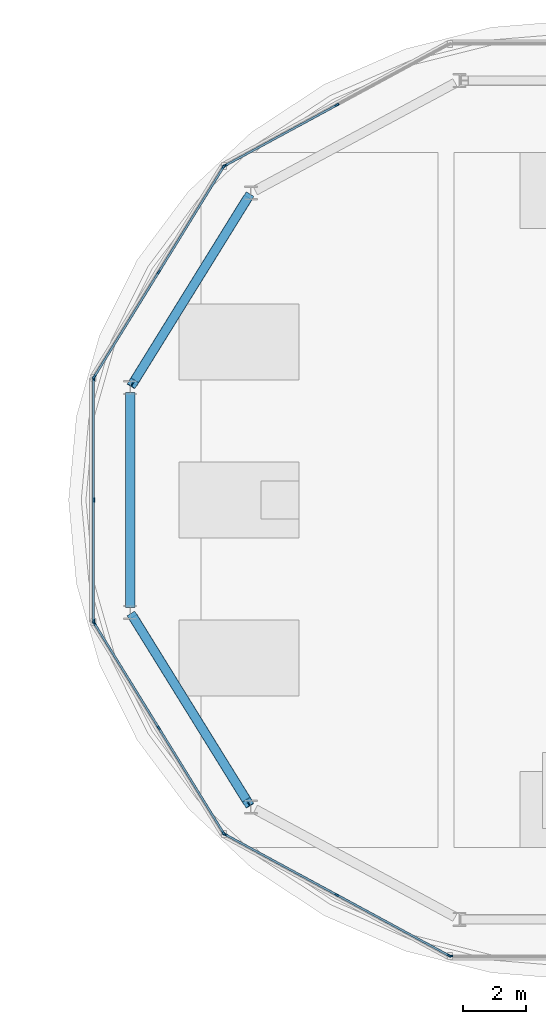
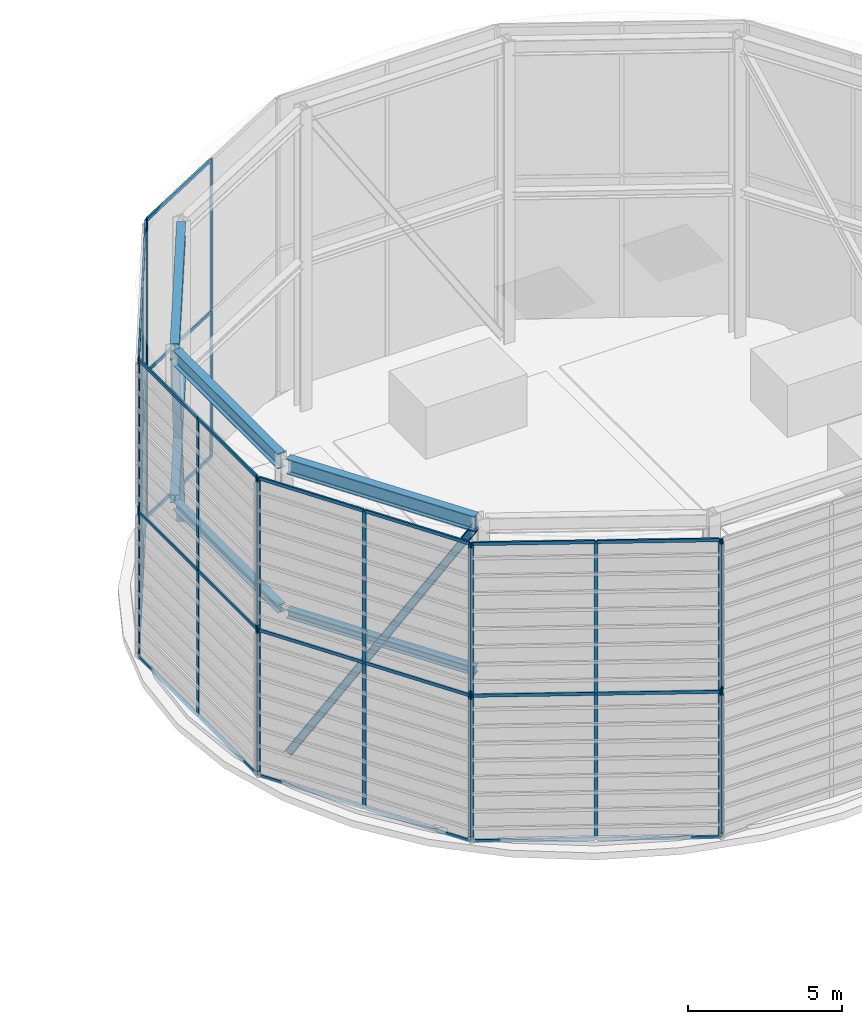
# One storey, part 7 of 17: 44 members, 6 beams, 6 elements without a shape of their own.
"""IFC4 building model written with IfcOpenShell, lengths in metres."""

from ifc_helpers import new_model, si_unit, direction, frame, origin, origin_2d, place, context, subcontext, project, spatial, rectangle, i_section, extrude, source, transform, mapped, material, layer, layer_set, material_profile, profile_set, type_object, type_shapes, element, aggregate, save


model = new_model("IFC4")

# Units and contexts
model_context = context("Model", 3, precision=1e-05, world=origin(), true_north=direction((0.0, 1.0)))
body_context = subcontext(model_context, "Body", "Model", "MODEL_VIEW")
ifc_project = project(units=[si_unit("LENGTHUNIT", "METRE"), si_unit("AREAUNIT", "SQUARE_METRE"), si_unit("VOLUMEUNIT", "CUBIC_METRE"), si_unit("PLANEANGLEUNIT", "RADIAN"), si_unit("MASSUNIT", "GRAM", prefix="KILO")], contexts=[model_context])

# Site, building, storey
site_placement = place(None, origin())
site = spatial("IfcSite", under=ifc_project, at=site_placement, CompositionType="ELEMENT")
building_placement = place(site_placement, origin())
building = spatial("IfcBuilding", under=site, at=building_placement, Name="Norrkilde Senior Care Towers", CompositionType="ELEMENT")
storey_placement = place(building_placement, frame((0.0, 0.0, 249.85009765625)))
storey = spatial("IfcBuildingStorey", under=building, at=storey_placement, Name="RF", CompositionType="ELEMENT", Elevation=249.85009765625)

# Beams
ifc_material_1 = material(Name="Steel S355", Category="steel")
ifc_material_profile_1 = material_profile(ifc_material_1, i_section(OverallWidth=0.300048828125, OverallDepth=0.60009765625, WebThickness=0.015380859375, FlangeThickness=0.030029296875, FilletRadius=0.027099609375, at=origin_2d()), Name="HEB 600")
ifc_profile_set_1 = profile_set([ifc_material_profile_1], Name="Steel S355")
beam_type_1 = type_object("IfcBeamType", Name="Crown Ring Top Girder CROWN FRAME", PredefinedType="USERDEFINED", material=ifc_profile_set_1)
shared_shape_1 = source(origin(), body_context, "Body", "SweptSolid", [
    extrude(i_section(OverallWidth=0.300048828125, OverallDepth=0.60009765625, WebThickness=0.015380859375, FlangeThickness=0.030029296875, FilletRadius=0.027099609375, at=origin_2d()), origin(), (0.0, 0.0, 1.0), 6.93017578125),
])
for number, where, z_axis, x_axis, name in (
    (1, (17.48583984375, 9.586669921875, 11.809814453125), (-0.526520754643, -0.850162275645, 0.0), (0.850162275645, -0.526520754643, 0.0), "RF Drum E Crown Ring Top Girder 05 CROWN FRAME"),
    (2, (13.8369140625, -3.69482421875, 11.809814453125), (0.526520754643, -0.850162275645, 0.0), (0.850162275645, 0.526520754643, 0.0), "RF Drum E Crown Ring Top Girder 07 CROWN FRAME"),
):
    element("IfcBeam", number, at=place(storey_placement, frame(where, z_axis=z_axis, x_axis=x_axis)), inside=storey, type_object=beam_type_1, Name=name, ObjectType="GIRDER", PredefinedType="USERDEFINED", context=body_context, shape_type="MappedRepresentation", body=[
        mapped(shared_shape_1, transform((0.0, 0.0, 0.0), x_axis=(1.0, 0.0, 0.0), y_axis=(0.0, 1.0, 0.0), z_axis=(0.0, 0.0, 1.0), scale=1.0)),
    ])
ifc_material_profile_2 = material_profile(ifc_material_1, i_section(OverallWidth=0.300048828125, OverallDepth=0.320068359375, WebThickness=0.011474609375, FlangeThickness=0.0205078125, FilletRadius=0.027099609375, at=origin_2d()), Name="HEB 320")
ifc_profile_set_2 = profile_set([ifc_material_profile_2], Name="Steel S355")
beam_type_2 = type_object("IfcBeamType", Name="Crown Ring Mid Spandrel CROWN FRAME", PredefinedType="SPANDREL", material=ifc_profile_set_2)
shared_shape_2 = source(origin(), body_context, "Body", "SweptSolid", [
    extrude(i_section(OverallWidth=0.300048828125, OverallDepth=0.320068359375, WebThickness=0.011474609375, FlangeThickness=0.0205078125, FilletRadius=0.027099609375, at=origin_2d()), origin(), (0.0, 0.0, 1.0), 6.93017578125),
])
for number, where, z_axis, x_axis, name in (
    (3, (17.48583984375, 9.586669921875, 5.949951171875), (-0.526520754643, -0.850162275645, 0.0), (0.850162275645, -0.526520754643, 0.0), "RF Drum E Crown Ring Mid Spandrel 05 CROWN FRAME"),
    (4, (13.8369140625, -3.69482421875, 5.949951171875), (0.526520754643, -0.850162275645, 0.0), (0.850162275645, 0.526520754643, 0.0), "RF Drum E Crown Ring Mid Spandrel 07 CROWN FRAME"),
):
    element("IfcBeam", number, at=place(storey_placement, frame(where, z_axis=z_axis, x_axis=x_axis)), inside=storey, type_object=beam_type_2, Name=name, PredefinedType="SPANDREL", context=body_context, shape_type="MappedRepresentation", body=[
        mapped(shared_shape_2, transform((0.0, 0.0, 0.0), x_axis=(1.0, 0.0, 0.0), y_axis=(0.0, 1.0, 0.0), z_axis=(0.0, 0.0, 1.0), scale=1.0)),
    ])

# Members
ifc_material_profile_3 = material_profile(ifc_material_1, i_section(OverallWidth=0.280029296875, OverallDepth=0.280029296875, WebThickness=0.010498046875, FlangeThickness=0.01806640625, FilletRadius=0.02392578125, at=origin_2d()), Name="HEB 280")
ifc_profile_set_3 = profile_set([ifc_material_profile_3], Name="Steel S355")
member_type_1 = type_object("IfcMemberType", Name="Crown Frame Brace CROWN FRAME", PredefinedType="BRACE", material=ifc_profile_set_3)
shared_shape_3 = source(origin(), body_context, "Body", "SweptSolid", [
    extrude(i_section(OverallWidth=0.280029296875, OverallDepth=0.280029296875, WebThickness=0.010498046875, FlangeThickness=0.01806640625, FilletRadius=0.02392578125, at=origin_2d()), origin(), (0.0, 0.0, 1.0), 13.264404296875),
])
type_shapes(member_type_1, [shared_shape_3])
for number, where, z_axis, x_axis, name in (
    (5, (17.48583984375, 9.586669921875, 0.349853515625), (-0.275090388538, -0.444182814571, 0.852658727378), (0.850162275645, -0.526520754643, 0.0), "RF Drum E Crown Ring Brace 05 CROWN FRAME"),
    (6, (13.8369140625, -3.69482421875, 0.349853515625), (0.275090388538, -0.444182814571, 0.852658727378), (0.850162275645, 0.526520754643, 0.0), "RF Drum E Crown Ring Brace 07 CROWN FRAME"),
):
    element("IfcMember", number, at=place(storey_placement, frame(where, z_axis=z_axis, x_axis=x_axis)), inside=storey, type_object=member_type_1, Name=name, PredefinedType="BRACE", context=body_context, shape_type="MappedRepresentation", body=[
        mapped(shared_shape_3, transform((0.0, 0.0, 0.0), x_axis=(1.0, 0.0, 0.0), y_axis=(0.0, 1.0, 0.0), z_axis=(0.0, 0.0, 1.0), scale=1.0)),
    ])

# Beams
shared_shape_4 = source(origin(), body_context, "Body", "SweptSolid", [
    extrude(i_section(OverallWidth=0.300048828125, OverallDepth=0.60009765625, WebThickness=0.015380859375, FlangeThickness=0.030029296875, FilletRadius=0.027099609375, at=origin_2d()), origin(), (0.0, 0.0, 1.0), 6.79736328125),
])
type_shapes(beam_type_1, [shared_shape_1, shared_shape_4])
beam_1_placement = place(storey_placement, frame((13.752685546875, 3.398681640625, 11.809814453125), z_axis=(0.0, -1.0, 0.0), x_axis=(1.0, 0.0, 0.0)))
element("IfcBeam", 7, at=beam_1_placement, inside=storey, type_object=beam_type_1, Name="RF Drum E Crown Ring Top Girder 06 CROWN FRAME", ObjectType="GIRDER", PredefinedType="USERDEFINED", context=body_context, shape_type="MappedRepresentation", body=[
    mapped(shared_shape_4, transform((0.0, 0.0, 0.0), x_axis=(1.0, 0.0, 0.0), y_axis=(0.0, 1.0, 0.0), z_axis=(0.0, 0.0, 1.0), scale=1.0)),
])
shared_shape_5 = source(origin(), body_context, "Body", "SweptSolid", [
    extrude(i_section(OverallWidth=0.300048828125, OverallDepth=0.320068359375, WebThickness=0.011474609375, FlangeThickness=0.0205078125, FilletRadius=0.027099609375, at=origin_2d()), origin(), (0.0, 0.0, 1.0), 6.79736328125),
])
type_shapes(beam_type_2, [shared_shape_2, shared_shape_5])
beam_2_placement = place(storey_placement, frame((13.752685546875, 3.398681640625, 5.949951171875), z_axis=(0.0, -1.0, 0.0), x_axis=(1.0, 0.0, 0.0)))
element("IfcBeam", 8, at=beam_2_placement, inside=storey, type_object=beam_type_2, Name="RF Drum E Crown Ring Mid Spandrel 06 CROWN FRAME", PredefinedType="SPANDREL", context=body_context, shape_type="MappedRepresentation", body=[
    mapped(shared_shape_5, transform((0.0, 0.0, 0.0), x_axis=(1.0, 0.0, 0.0), y_axis=(0.0, 1.0, 0.0), z_axis=(0.0, 0.0, 1.0), scale=1.0)),
])

# Curtain wall, members
ifc_material_2 = material(Name="Triple Low-E Insulated Glazing", Category="glass")
ifc_layer = layer(ifc_material_2, 0.205078125)
ifc_layer_set = layer_set([ifc_layer], Name="Triple Low-E Insulated Glazing")
curtain_wall_type = type_object("IfcCurtainWallType", Name="CW7 L76 Damper Lantern Clear Curtain Wall", PredefinedType="NOTDEFINED", material=ifc_layer_set)
curtain_wall_1_placement = place(storey_placement, origin())
curtain_wall_1 = element("IfcCurtainWall", 9, at=curtain_wall_1_placement, inside=storey, type_object=curtain_wall_type, Name="RF Ring Crown E Screen Wall 03", PredefinedType="NOTDEFINED")
ifc_material_3 = material(Name="Anodised Aluminium", Category="aluminium")
ifc_material_profile_4 = material_profile(ifc_material_3, rectangle(XDim=0.06005859375, YDim=0.139892578125, at=origin_2d()), Name="ALU MULL 60x140")
ifc_profile_set_4 = profile_set([ifc_material_profile_4], Name="Anodised Aluminium")
member_type_2 = type_object("IfcMemberType", Name="Curtain Wall Mullion Lantern 60x140", PredefinedType="MULLION", material=ifc_profile_set_4)
shared_shape_6 = source(origin(), body_context, "Body", "SweptSolid", [
    extrude(rectangle(XDim=0.06005859375, YDim=0.139892578125, at=origin_2d()), origin(), (0.0, 0.0, 1.0), 11.849853515625),
])
type_shapes(member_type_2, [shared_shape_6])
member_1_placement = place(storey_placement, frame((16.748046875, 10.58544921875, 0.0), z_axis=(0.0, 0.0, 1.0), x_axis=(-0.475933713829, 0.879481153886, 0.0)))
member_1 = element("IfcMember", 10, at=member_1_placement, type_object=member_type_2, Name="CW-7 mullion 1", PredefinedType="MULLION", context=body_context, shape_type="MappedRepresentation", body=[
    mapped(shared_shape_6, transform((0.0, 0.0, 0.0), x_axis=(1.0, 0.0, 0.0), y_axis=(0.0, 1.0, 0.0), z_axis=(0.0, 0.0, 1.0), scale=1.0)),
])
member_2_placement = place(storey_placement, frame((20.296630859375, 12.505859375, 0.0), z_axis=(0.0, 0.0, 1.0), x_axis=(-0.475933713829, 0.879481153886, 0.0)))
member_2 = element("IfcMember", 11, at=member_2_placement, type_object=member_type_2, Name="CW-7 mullion 2", PredefinedType="MULLION", context=body_context, shape_type="MappedRepresentation", body=[
    mapped(shared_shape_6, transform((0.0, 0.0, 0.0), x_axis=(1.0, 0.0, 0.0), y_axis=(0.0, 1.0, 0.0), z_axis=(0.0, 0.0, 1.0), scale=1.0)),
])

curtain_wall_2_placement = place(storey_placement, origin())
curtain_wall_2 = element("IfcCurtainWall", 12, at=curtain_wall_2_placement, inside=storey, type_object=curtain_wall_type, Name="RF Ring Crown E Screen Wall 04", PredefinedType="NOTDEFINED")
member_3_placement = place(storey_placement, frame((12.609130859375, 3.894775390625, 0.0), z_axis=(0.0, 0.0, 1.0), x_axis=(-0.85143610846, 0.524458342684, 0.0)))
member_3 = element("IfcMember", 13, at=member_3_placement, type_object=member_type_2, Name="CW-7 mullion 1", PredefinedType="MULLION", context=body_context, shape_type="MappedRepresentation", body=[
    mapped(shared_shape_6, transform((0.0, 0.0, 0.0), x_axis=(1.0, 0.0, 0.0), y_axis=(0.0, 1.0, 0.0), z_axis=(0.0, 0.0, 1.0), scale=1.0)),
])
member_4_placement = place(storey_placement, frame((14.657470703125, 7.22021484375, 0.0), z_axis=(0.0, 0.0, 1.0), x_axis=(-0.85143610846, 0.524458342684, 0.0)))
member_4 = element("IfcMember", 14, at=member_4_placement, type_object=member_type_2, Name="CW-7 mullion 2", PredefinedType="MULLION", context=body_context, shape_type="MappedRepresentation", body=[
    mapped(shared_shape_6, transform((0.0, 0.0, 0.0), x_axis=(1.0, 0.0, 0.0), y_axis=(0.0, 1.0, 0.0), z_axis=(0.0, 0.0, 1.0), scale=1.0)),
])
member_5_placement = place(storey_placement, frame((16.705810546875, 10.545654296875, 0.0), z_axis=(0.0, 0.0, 1.0), x_axis=(-0.85143610846, 0.524458342684, 0.0)))
member_5 = element("IfcMember", 15, at=member_5_placement, type_object=member_type_2, Name="CW-7 mullion 3", PredefinedType="MULLION", context=body_context, shape_type="MappedRepresentation", body=[
    mapped(shared_shape_6, transform((0.0, 0.0, 0.0), x_axis=(1.0, 0.0, 0.0), y_axis=(0.0, 1.0, 0.0), z_axis=(0.0, 0.0, 1.0), scale=1.0)),
])

curtain_wall_3_placement = place(storey_placement, origin())
curtain_wall_3 = element("IfcCurtainWall", 16, at=curtain_wall_3_placement, inside=storey, type_object=curtain_wall_type, Name="RF Ring Crown E Screen Wall 05", PredefinedType="NOTDEFINED")
member_6_placement = place(storey_placement, frame((12.593505859375, -3.83935546875, 0.0), z_axis=(0.0, 0.0, 1.0), x_axis=(-1.0, 0.0, 0.0)))
member_6 = element("IfcMember", 17, at=member_6_placement, type_object=member_type_2, Name="CW-7 mullion 1", PredefinedType="MULLION", context=body_context, shape_type="MappedRepresentation", body=[
    mapped(shared_shape_6, transform((0.0, 0.0, 0.0), x_axis=(1.0, 0.0, 0.0), y_axis=(0.0, 1.0, 0.0), z_axis=(0.0, 0.0, 1.0), scale=1.0)),
])
member_7_placement = place(storey_placement, frame((12.593505859375, 0.0, 0.0), z_axis=(0.0, 0.0, 1.0), x_axis=(-1.0, 0.0, 0.0)))
member_7 = element("IfcMember", 18, at=member_7_placement, type_object=member_type_2, Name="CW-7 mullion 2", PredefinedType="MULLION", context=body_context, shape_type="MappedRepresentation", body=[
    mapped(shared_shape_6, transform((0.0, 0.0, 0.0), x_axis=(1.0, 0.0, 0.0), y_axis=(0.0, 1.0, 0.0), z_axis=(0.0, 0.0, 1.0), scale=1.0)),
])
member_8_placement = place(storey_placement, frame((12.593505859375, 3.83935546875, 0.0), z_axis=(0.0, 0.0, 1.0), x_axis=(-1.0, 0.0, 0.0)))
member_8 = element("IfcMember", 19, at=member_8_placement, type_object=member_type_2, Name="CW-7 mullion 3", PredefinedType="MULLION", context=body_context, shape_type="MappedRepresentation", body=[
    mapped(shared_shape_6, transform((0.0, 0.0, 0.0), x_axis=(1.0, 0.0, 0.0), y_axis=(0.0, 1.0, 0.0), z_axis=(0.0, 0.0, 1.0), scale=1.0)),
])

curtain_wall_4_placement = place(storey_placement, origin())
curtain_wall_4 = element("IfcCurtainWall", 20, at=curtain_wall_4_placement, inside=storey, type_object=curtain_wall_type, Name="RF Ring Crown E Screen Wall 06", PredefinedType="NOTDEFINED")
member_9_placement = place(storey_placement, frame((16.705810546875, -10.545654296875, 0.0), z_axis=(0.0, 0.0, 1.0), x_axis=(-0.85143610846, -0.524458342684, 0.0)))
member_9 = element("IfcMember", 21, at=member_9_placement, type_object=member_type_2, Name="CW-7 mullion 1", PredefinedType="MULLION", context=body_context, shape_type="MappedRepresentation", body=[
    mapped(shared_shape_6, transform((0.0, 0.0, 0.0), x_axis=(1.0, 0.0, 0.0), y_axis=(0.0, 1.0, 0.0), z_axis=(0.0, 0.0, 1.0), scale=1.0)),
])
member_10_placement = place(storey_placement, frame((14.657470703125, -7.22021484375, 0.0), z_axis=(0.0, 0.0, 1.0), x_axis=(-0.85143610846, -0.524458342684, 0.0)))
member_10 = element("IfcMember", 22, at=member_10_placement, type_object=member_type_2, Name="CW-7 mullion 2", PredefinedType="MULLION", context=body_context, shape_type="MappedRepresentation", body=[
    mapped(shared_shape_6, transform((0.0, 0.0, 0.0), x_axis=(1.0, 0.0, 0.0), y_axis=(0.0, 1.0, 0.0), z_axis=(0.0, 0.0, 1.0), scale=1.0)),
])
member_11_placement = place(storey_placement, frame((12.609130859375, -3.894775390625, 0.0), z_axis=(0.0, 0.0, 1.0), x_axis=(-0.85143610846, -0.524458342684, 0.0)))
member_11 = element("IfcMember", 23, at=member_11_placement, type_object=member_type_2, Name="CW-7 mullion 3", PredefinedType="MULLION", context=body_context, shape_type="MappedRepresentation", body=[
    mapped(shared_shape_6, transform((0.0, 0.0, 0.0), x_axis=(1.0, 0.0, 0.0), y_axis=(0.0, 1.0, 0.0), z_axis=(0.0, 0.0, 1.0), scale=1.0)),
])

curtain_wall_5_placement = place(storey_placement, origin())
curtain_wall_5 = element("IfcCurtainWall", 24, at=curtain_wall_5_placement, inside=storey, type_object=curtain_wall_type, Name="RF Ring Crown E Screen Wall 07", PredefinedType="NOTDEFINED")
member_12_placement = place(storey_placement, frame((23.845458984375, -14.42626953125, 0.0), z_axis=(0.0, 0.0, 1.0), x_axis=(-0.475933713829, -0.879481153886, 0.0)))
member_12 = element("IfcMember", 25, at=member_12_placement, type_object=member_type_2, Name="CW-7 mullion 1", PredefinedType="MULLION", context=body_context, shape_type="MappedRepresentation", body=[
    mapped(shared_shape_6, transform((0.0, 0.0, 0.0), x_axis=(1.0, 0.0, 0.0), y_axis=(0.0, 1.0, 0.0), z_axis=(0.0, 0.0, 1.0), scale=1.0)),
])
member_13_placement = place(storey_placement, frame((20.296630859375, -12.505859375, 0.0), z_axis=(0.0, 0.0, 1.0), x_axis=(-0.475933713829, -0.879481153886, 0.0)))
member_13 = element("IfcMember", 26, at=member_13_placement, type_object=member_type_2, Name="CW-7 mullion 2", PredefinedType="MULLION", context=body_context, shape_type="MappedRepresentation", body=[
    mapped(shared_shape_6, transform((0.0, 0.0, 0.0), x_axis=(1.0, 0.0, 0.0), y_axis=(0.0, 1.0, 0.0), z_axis=(0.0, 0.0, 1.0), scale=1.0)),
])
member_14_placement = place(storey_placement, frame((16.748046875, -10.58544921875, 0.0), z_axis=(0.0, 0.0, 1.0), x_axis=(-0.475933713829, -0.879481153886, 0.0)))
member_14 = element("IfcMember", 27, at=member_14_placement, type_object=member_type_2, Name="CW-7 mullion 3", PredefinedType="MULLION", context=body_context, shape_type="MappedRepresentation", body=[
    mapped(shared_shape_6, transform((0.0, 0.0, 0.0), x_axis=(1.0, 0.0, 0.0), y_axis=(0.0, 1.0, 0.0), z_axis=(0.0, 0.0, 1.0), scale=1.0)),
])

# Curtain wall, member
curtain_wall_6_placement = place(storey_placement, origin())
curtain_wall_6 = element("IfcCurtainWall", 28, at=curtain_wall_6_placement, inside=storey, type_object=curtain_wall_type, Name="RF Ring Crown E Screen Wall 08", PredefinedType="NOTDEFINED")
member_15_placement = place(storey_placement, frame((23.90185546875, -14.440673828125, 0.0), z_axis=(0.0, 0.0, 1.0), x_axis=(0.0, -1.0, 0.0)))
member_15 = element("IfcMember", 29, at=member_15_placement, type_object=member_type_2, Name="CW-7 mullion 3", PredefinedType="MULLION", context=body_context, shape_type="MappedRepresentation", body=[
    mapped(shared_shape_6, transform((0.0, 0.0, 0.0), x_axis=(1.0, 0.0, 0.0), y_axis=(0.0, 1.0, 0.0), z_axis=(0.0, 0.0, 1.0), scale=1.0)),
])
aggregate(curtain_wall_6, [member_15])

# Member
ifc_material_profile_5 = material_profile(ifc_material_3, rectangle(XDim=0.06494140625, YDim=0.1298828125, at=origin_2d()), Name="ALU TRAN 65x130")
ifc_profile_set_5 = profile_set([ifc_material_profile_5], Name="Anodised Aluminium")
member_type_3 = type_object("IfcMemberType", Name="Curtain Wall Transom Heavy 65x130", PredefinedType="USERDEFINED", material=ifc_profile_set_5)
shared_shape_7 = source(origin(), body_context, "Body", "SweptSolid", [
    extrude(rectangle(XDim=0.06494140625, YDim=0.1298828125, at=origin_2d()), origin(), (0.0, 0.0, 1.0), 3.845703125),
])
member_16_placement = place(storey_placement, frame((12.625, 3.92041015625, 0.032470703125), z_axis=(0.524440959275, 0.851446815858, 0.0), x_axis=(-0.851446815858, 0.524440959275, 0.0)))
member_16 = element("IfcMember", 30, at=member_16_placement, type_object=member_type_3, Name="CW-7 transom 1.1", ObjectType="TRANSOM", PredefinedType="USERDEFINED", context=body_context, shape_type="MappedRepresentation", body=[
    mapped(shared_shape_7, transform((0.0, 0.0, 0.0), x_axis=(1.0, 0.0, 0.0), y_axis=(0.0, 1.0, 0.0), z_axis=(0.0, 0.0, 1.0), scale=1.0)),
])

member_17_placement = place(storey_placement, frame((12.625, 3.92041015625, 5.7998046875), z_axis=(0.524440959275, 0.851446815858, 0.0), x_axis=(-0.851446815858, 0.524440959275, 0.0)))
member_17 = element("IfcMember", 31, at=member_17_placement, type_object=member_type_3, Name="CW-7 transom 1.2", ObjectType="TRANSOM", PredefinedType="USERDEFINED", context=body_context, shape_type="MappedRepresentation", body=[
    mapped(shared_shape_7, transform((0.0, 0.0, 0.0), x_axis=(1.0, 0.0, 0.0), y_axis=(0.0, 1.0, 0.0), z_axis=(0.0, 0.0, 1.0), scale=1.0)),
])

member_18_placement = place(storey_placement, frame((12.625, 3.92041015625, 11.8173828125), z_axis=(0.524440959275, 0.851446815858, 0.0), x_axis=(-0.851446815858, 0.524440959275, 0.0)))
member_18 = element("IfcMember", 32, at=member_18_placement, type_object=member_type_3, Name="CW-7 transom 1.3", ObjectType="TRANSOM", PredefinedType="USERDEFINED", context=body_context, shape_type="MappedRepresentation", body=[
    mapped(shared_shape_7, transform((0.0, 0.0, 0.0), x_axis=(1.0, 0.0, 0.0), y_axis=(0.0, 1.0, 0.0), z_axis=(0.0, 0.0, 1.0), scale=1.0)),
])

member_19_placement = place(storey_placement, frame((14.67333984375, 7.245849609375, 0.032470703125), z_axis=(0.524440959275, 0.851446815858, 0.0), x_axis=(-0.851446815858, 0.524440959275, 0.0)))
member_19 = element("IfcMember", 33, at=member_19_placement, type_object=member_type_3, Name="CW-7 transom 2.1", ObjectType="TRANSOM", PredefinedType="USERDEFINED", context=body_context, shape_type="MappedRepresentation", body=[
    mapped(shared_shape_7, transform((0.0, 0.0, 0.0), x_axis=(1.0, 0.0, 0.0), y_axis=(0.0, 1.0, 0.0), z_axis=(0.0, 0.0, 1.0), scale=1.0)),
])

member_20_placement = place(storey_placement, frame((14.67333984375, 7.245849609375, 5.7998046875), z_axis=(0.524440959275, 0.851446815858, 0.0), x_axis=(-0.851446815858, 0.524440959275, 0.0)))
member_20 = element("IfcMember", 34, at=member_20_placement, type_object=member_type_3, Name="CW-7 transom 2.2", ObjectType="TRANSOM", PredefinedType="USERDEFINED", context=body_context, shape_type="MappedRepresentation", body=[
    mapped(shared_shape_7, transform((0.0, 0.0, 0.0), x_axis=(1.0, 0.0, 0.0), y_axis=(0.0, 1.0, 0.0), z_axis=(0.0, 0.0, 1.0), scale=1.0)),
])

member_21_placement = place(storey_placement, frame((14.67333984375, 7.245849609375, 11.8173828125), z_axis=(0.524440959275, 0.851446815858, 0.0), x_axis=(-0.851446815858, 0.524440959275, 0.0)))
member_21 = element("IfcMember", 35, at=member_21_placement, type_object=member_type_3, Name="CW-7 transom 2.3", ObjectType="TRANSOM", PredefinedType="USERDEFINED", context=body_context, shape_type="MappedRepresentation", body=[
    mapped(shared_shape_7, transform((0.0, 0.0, 0.0), x_axis=(1.0, 0.0, 0.0), y_axis=(0.0, 1.0, 0.0), z_axis=(0.0, 0.0, 1.0), scale=1.0)),
])

aggregate(curtain_wall_2, [member_3, member_4, member_5, member_16, member_17, member_18, member_19, member_20, member_21])

member_22_placement = place(storey_placement, frame((16.690185546875, -10.520263671875, 0.032470703125), z_axis=(-0.524440959275, 0.851446815858, 0.0), x_axis=(-0.851446815858, -0.524440959275, 0.0)))
member_22 = element("IfcMember", 36, at=member_22_placement, type_object=member_type_3, Name="CW-7 transom 1.1", ObjectType="TRANSOM", PredefinedType="USERDEFINED", context=body_context, shape_type="MappedRepresentation", body=[
    mapped(shared_shape_7, transform((0.0, 0.0, 0.0), x_axis=(1.0, 0.0, 0.0), y_axis=(0.0, 1.0, 0.0), z_axis=(0.0, 0.0, 1.0), scale=1.0)),
])

member_23_placement = place(storey_placement, frame((16.690185546875, -10.520263671875, 5.7998046875), z_axis=(-0.524440959275, 0.851446815858, 0.0), x_axis=(-0.851446815858, -0.524440959275, 0.0)))
member_23 = element("IfcMember", 37, at=member_23_placement, type_object=member_type_3, Name="CW-7 transom 1.2", ObjectType="TRANSOM", PredefinedType="USERDEFINED", context=body_context, shape_type="MappedRepresentation", body=[
    mapped(shared_shape_7, transform((0.0, 0.0, 0.0), x_axis=(1.0, 0.0, 0.0), y_axis=(0.0, 1.0, 0.0), z_axis=(0.0, 0.0, 1.0), scale=1.0)),
])

member_24_placement = place(storey_placement, frame((16.690185546875, -10.520263671875, 11.8173828125), z_axis=(-0.524440959275, 0.851446815858, 0.0), x_axis=(-0.851446815858, -0.524440959275, 0.0)))
member_24 = element("IfcMember", 38, at=member_24_placement, type_object=member_type_3, Name="CW-7 transom 1.3", ObjectType="TRANSOM", PredefinedType="USERDEFINED", context=body_context, shape_type="MappedRepresentation", body=[
    mapped(shared_shape_7, transform((0.0, 0.0, 0.0), x_axis=(1.0, 0.0, 0.0), y_axis=(0.0, 1.0, 0.0), z_axis=(0.0, 0.0, 1.0), scale=1.0)),
])

member_25_placement = place(storey_placement, frame((14.641845703125, -7.19482421875, 0.032470703125), z_axis=(-0.524440959275, 0.851446815858, 0.0), x_axis=(-0.851446815858, -0.524440959275, 0.0)))
member_25 = element("IfcMember", 39, at=member_25_placement, type_object=member_type_3, Name="CW-7 transom 2.1", ObjectType="TRANSOM", PredefinedType="USERDEFINED", context=body_context, shape_type="MappedRepresentation", body=[
    mapped(shared_shape_7, transform((0.0, 0.0, 0.0), x_axis=(1.0, 0.0, 0.0), y_axis=(0.0, 1.0, 0.0), z_axis=(0.0, 0.0, 1.0), scale=1.0)),
])

member_26_placement = place(storey_placement, frame((14.641845703125, -7.19482421875, 5.7998046875), z_axis=(-0.524440959275, 0.851446815858, 0.0), x_axis=(-0.851446815858, -0.524440959275, 0.0)))
member_26 = element("IfcMember", 40, at=member_26_placement, type_object=member_type_3, Name="CW-7 transom 2.2", ObjectType="TRANSOM", PredefinedType="USERDEFINED", context=body_context, shape_type="MappedRepresentation", body=[
    mapped(shared_shape_7, transform((0.0, 0.0, 0.0), x_axis=(1.0, 0.0, 0.0), y_axis=(0.0, 1.0, 0.0), z_axis=(0.0, 0.0, 1.0), scale=1.0)),
])

member_27_placement = place(storey_placement, frame((14.641845703125, -7.19482421875, 11.8173828125), z_axis=(-0.524440959275, 0.851446815858, 0.0), x_axis=(-0.851446815858, -0.524440959275, 0.0)))
member_27 = element("IfcMember", 41, at=member_27_placement, type_object=member_type_3, Name="CW-7 transom 2.3", ObjectType="TRANSOM", PredefinedType="USERDEFINED", context=body_context, shape_type="MappedRepresentation", body=[
    mapped(shared_shape_7, transform((0.0, 0.0, 0.0), x_axis=(1.0, 0.0, 0.0), y_axis=(0.0, 1.0, 0.0), z_axis=(0.0, 0.0, 1.0), scale=1.0)),
])

aggregate(curtain_wall_4, [member_9, member_10, member_11, member_22, member_23, member_24, member_25, member_26, member_27])

shared_shape_8 = source(origin(), body_context, "Body", "SweptSolid", [
    extrude(rectangle(XDim=0.06494140625, YDim=0.1298828125, at=origin_2d()), origin(), (0.0, 0.0, 1.0), 3.974853515625),
])
member_28_placement = place(storey_placement, frame((16.7744140625, 10.599853515625, 0.032470703125), z_axis=(0.879475172581, 0.475944766557, 0.0), x_axis=(-0.475944766557, 0.879475172581, 0.0)))
member_28 = element("IfcMember", 42, at=member_28_placement, type_object=member_type_3, Name="CW-7 transom 1.1", ObjectType="TRANSOM", PredefinedType="USERDEFINED", context=body_context, shape_type="MappedRepresentation", body=[
    mapped(shared_shape_8, transform((0.0, 0.0, 0.0), x_axis=(1.0, 0.0, 0.0), y_axis=(0.0, 1.0, 0.0), z_axis=(0.0, 0.0, 1.0), scale=1.0)),
])

member_29_placement = place(storey_placement, frame((16.7744140625, 10.599853515625, 5.7998046875), z_axis=(0.879475172581, 0.475944766557, 0.0), x_axis=(-0.475944766557, 0.879475172581, 0.0)))
member_29 = element("IfcMember", 43, at=member_29_placement, type_object=member_type_3, Name="CW-7 transom 1.2", ObjectType="TRANSOM", PredefinedType="USERDEFINED", context=body_context, shape_type="MappedRepresentation", body=[
    mapped(shared_shape_8, transform((0.0, 0.0, 0.0), x_axis=(1.0, 0.0, 0.0), y_axis=(0.0, 1.0, 0.0), z_axis=(0.0, 0.0, 1.0), scale=1.0)),
])

member_30_placement = place(storey_placement, frame((16.7744140625, 10.599853515625, 11.8173828125), z_axis=(0.879475172581, 0.475944766557, 0.0), x_axis=(-0.475944766557, 0.879475172581, 0.0)))
member_30 = element("IfcMember", 44, at=member_30_placement, type_object=member_type_3, Name="CW-7 transom 1.3", ObjectType="TRANSOM", PredefinedType="USERDEFINED", context=body_context, shape_type="MappedRepresentation", body=[
    mapped(shared_shape_8, transform((0.0, 0.0, 0.0), x_axis=(1.0, 0.0, 0.0), y_axis=(0.0, 1.0, 0.0), z_axis=(0.0, 0.0, 1.0), scale=1.0)),
])

aggregate(curtain_wall_1, [member_1, member_2, member_28, member_29, member_30])

member_31_placement = place(storey_placement, frame((23.819091796875, -14.412109375, 0.032470703125), z_axis=(-0.879475172581, 0.475944766557, 0.0), x_axis=(-0.475944766557, -0.879475172581, 0.0)))
member_31 = element("IfcMember", 45, at=member_31_placement, type_object=member_type_3, Name="CW-7 transom 1.1", ObjectType="TRANSOM", PredefinedType="USERDEFINED", context=body_context, shape_type="MappedRepresentation", body=[
    mapped(shared_shape_8, transform((0.0, 0.0, 0.0), x_axis=(1.0, 0.0, 0.0), y_axis=(0.0, 1.0, 0.0), z_axis=(0.0, 0.0, 1.0), scale=1.0)),
])

member_32_placement = place(storey_placement, frame((23.819091796875, -14.412109375, 5.7998046875), z_axis=(-0.879475172581, 0.475944766557, 0.0), x_axis=(-0.475944766557, -0.879475172581, 0.0)))
member_32 = element("IfcMember", 46, at=member_32_placement, type_object=member_type_3, Name="CW-7 transom 1.2", ObjectType="TRANSOM", PredefinedType="USERDEFINED", context=body_context, shape_type="MappedRepresentation", body=[
    mapped(shared_shape_8, transform((0.0, 0.0, 0.0), x_axis=(1.0, 0.0, 0.0), y_axis=(0.0, 1.0, 0.0), z_axis=(0.0, 0.0, 1.0), scale=1.0)),
])

member_33_placement = place(storey_placement, frame((23.819091796875, -14.412109375, 11.8173828125), z_axis=(-0.879475172581, 0.475944766557, 0.0), x_axis=(-0.475944766557, -0.879475172581, 0.0)))
member_33 = element("IfcMember", 47, at=member_33_placement, type_object=member_type_3, Name="CW-7 transom 1.3", ObjectType="TRANSOM", PredefinedType="USERDEFINED", context=body_context, shape_type="MappedRepresentation", body=[
    mapped(shared_shape_8, transform((0.0, 0.0, 0.0), x_axis=(1.0, 0.0, 0.0), y_axis=(0.0, 1.0, 0.0), z_axis=(0.0, 0.0, 1.0), scale=1.0)),
])

member_34_placement = place(storey_placement, frame((20.270263671875, -12.49169921875, 0.032470703125), z_axis=(-0.879475172581, 0.475944766557, 0.0), x_axis=(-0.475944766557, -0.879475172581, 0.0)))
member_34 = element("IfcMember", 48, at=member_34_placement, type_object=member_type_3, Name="CW-7 transom 2.1", ObjectType="TRANSOM", PredefinedType="USERDEFINED", context=body_context, shape_type="MappedRepresentation", body=[
    mapped(shared_shape_8, transform((0.0, 0.0, 0.0), x_axis=(1.0, 0.0, 0.0), y_axis=(0.0, 1.0, 0.0), z_axis=(0.0, 0.0, 1.0), scale=1.0)),
])

member_35_placement = place(storey_placement, frame((20.270263671875, -12.49169921875, 5.7998046875), z_axis=(-0.879475172581, 0.475944766557, 0.0), x_axis=(-0.475944766557, -0.879475172581, 0.0)))
member_35 = element("IfcMember", 49, at=member_35_placement, type_object=member_type_3, Name="CW-7 transom 2.2", ObjectType="TRANSOM", PredefinedType="USERDEFINED", context=body_context, shape_type="MappedRepresentation", body=[
    mapped(shared_shape_8, transform((0.0, 0.0, 0.0), x_axis=(1.0, 0.0, 0.0), y_axis=(0.0, 1.0, 0.0), z_axis=(0.0, 0.0, 1.0), scale=1.0)),
])

member_36_placement = place(storey_placement, frame((20.270263671875, -12.49169921875, 11.8173828125), z_axis=(-0.879475172581, 0.475944766557, 0.0), x_axis=(-0.475944766557, -0.879475172581, 0.0)))
member_36 = element("IfcMember", 50, at=member_36_placement, type_object=member_type_3, Name="CW-7 transom 2.3", ObjectType="TRANSOM", PredefinedType="USERDEFINED", context=body_context, shape_type="MappedRepresentation", body=[
    mapped(shared_shape_8, transform((0.0, 0.0, 0.0), x_axis=(1.0, 0.0, 0.0), y_axis=(0.0, 1.0, 0.0), z_axis=(0.0, 0.0, 1.0), scale=1.0)),
])

aggregate(curtain_wall_5, [member_12, member_13, member_14, member_31, member_32, member_33, member_34, member_35, member_36])

shared_shape_9 = source(origin(), body_context, "Body", "SweptSolid", [
    extrude(rectangle(XDim=0.06494140625, YDim=0.1298828125, at=origin_2d()), origin(), (0.0, 0.0, 1.0), 3.779296875),
])
type_shapes(member_type_3, [shared_shape_7, shared_shape_8, shared_shape_9])
member_37_placement = place(storey_placement, frame((12.593505859375, -3.809326171875, 0.032470703125), z_axis=(0.0, 1.0, 0.0), x_axis=(-1.0, 0.0, 0.0)))
member_37 = element("IfcMember", 51, at=member_37_placement, type_object=member_type_3, Name="CW-7 transom 1.1", ObjectType="TRANSOM", PredefinedType="USERDEFINED", context=body_context, shape_type="MappedRepresentation", body=[
    mapped(shared_shape_9, transform((0.0, 0.0, 0.0), x_axis=(1.0, 0.0, 0.0), y_axis=(0.0, 1.0, 0.0), z_axis=(0.0, 0.0, 1.0), scale=1.0)),
])

member_38_placement = place(storey_placement, frame((12.593505859375, -3.809326171875, 5.7998046875), z_axis=(0.0, 1.0, 0.0), x_axis=(-1.0, 0.0, 0.0)))
member_38 = element("IfcMember", 52, at=member_38_placement, type_object=member_type_3, Name="CW-7 transom 1.2", ObjectType="TRANSOM", PredefinedType="USERDEFINED", context=body_context, shape_type="MappedRepresentation", body=[
    mapped(shared_shape_9, transform((0.0, 0.0, 0.0), x_axis=(1.0, 0.0, 0.0), y_axis=(0.0, 1.0, 0.0), z_axis=(0.0, 0.0, 1.0), scale=1.0)),
])

member_39_placement = place(storey_placement, frame((12.593505859375, -3.809326171875, 11.8173828125), z_axis=(0.0, 1.0, 0.0), x_axis=(-1.0, 0.0, 0.0)))
member_39 = element("IfcMember", 53, at=member_39_placement, type_object=member_type_3, Name="CW-7 transom 1.3", ObjectType="TRANSOM", PredefinedType="USERDEFINED", context=body_context, shape_type="MappedRepresentation", body=[
    mapped(shared_shape_9, transform((0.0, 0.0, 0.0), x_axis=(1.0, 0.0, 0.0), y_axis=(0.0, 1.0, 0.0), z_axis=(0.0, 0.0, 1.0), scale=1.0)),
])

member_40_placement = place(storey_placement, frame((12.593505859375, 0.030029296875, 0.032470703125), z_axis=(0.0, 1.0, 0.0), x_axis=(-1.0, 0.0, 0.0)))
member_40 = element("IfcMember", 54, at=member_40_placement, type_object=member_type_3, Name="CW-7 transom 2.1", ObjectType="TRANSOM", PredefinedType="USERDEFINED", context=body_context, shape_type="MappedRepresentation", body=[
    mapped(shared_shape_9, transform((0.0, 0.0, 0.0), x_axis=(1.0, 0.0, 0.0), y_axis=(0.0, 1.0, 0.0), z_axis=(0.0, 0.0, 1.0), scale=1.0)),
])

member_41_placement = place(storey_placement, frame((12.593505859375, 0.030029296875, 5.7998046875), z_axis=(0.0, 1.0, 0.0), x_axis=(-1.0, 0.0, 0.0)))
member_41 = element("IfcMember", 55, at=member_41_placement, type_object=member_type_3, Name="CW-7 transom 2.2", ObjectType="TRANSOM", PredefinedType="USERDEFINED", context=body_context, shape_type="MappedRepresentation", body=[
    mapped(shared_shape_9, transform((0.0, 0.0, 0.0), x_axis=(1.0, 0.0, 0.0), y_axis=(0.0, 1.0, 0.0), z_axis=(0.0, 0.0, 1.0), scale=1.0)),
])

member_42_placement = place(storey_placement, frame((12.593505859375, 0.030029296875, 11.8173828125), z_axis=(0.0, 1.0, 0.0), x_axis=(-1.0, 0.0, 0.0)))
member_42 = element("IfcMember", 56, at=member_42_placement, type_object=member_type_3, Name="CW-7 transom 2.3", ObjectType="TRANSOM", PredefinedType="USERDEFINED", context=body_context, shape_type="MappedRepresentation", body=[
    mapped(shared_shape_9, transform((0.0, 0.0, 0.0), x_axis=(1.0, 0.0, 0.0), y_axis=(0.0, 1.0, 0.0), z_axis=(0.0, 0.0, 1.0), scale=1.0)),
])

aggregate(curtain_wall_3, [member_6, member_7, member_8, member_37, member_38, member_39, member_40, member_41, member_42])

save(model, "model.ifc")
